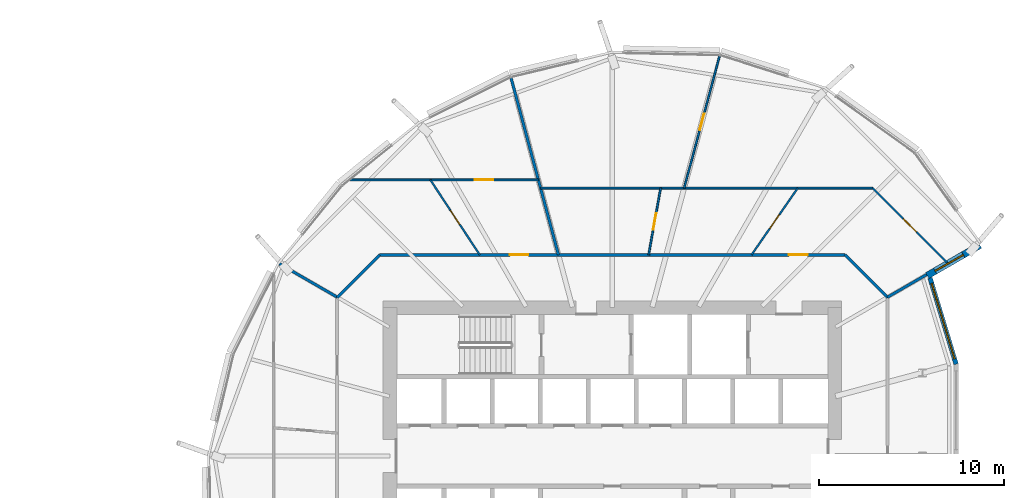
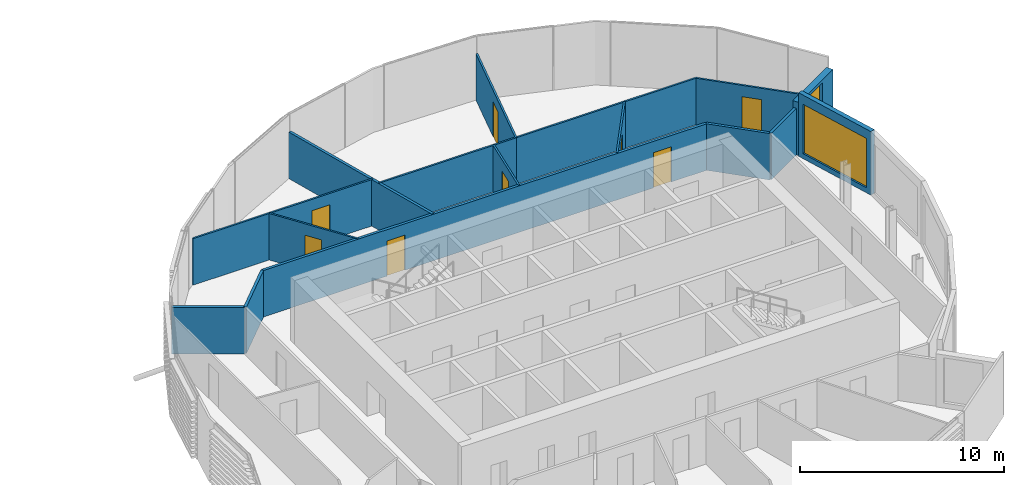
# One storey, part 25 of 38: 16 walls, 8 doors, 2 windows, 10 openings.
"""IFC4 building model written with IfcOpenShell, lengths in metres."""

from ifc_helpers import new_model, si_unit, direction, frame, frame_2d, origin, place, context, subcontext, project, spatial, rectangle, extrude, material, layer, layer_set, type_object, element, fill, save


model = new_model("IFC4")

# Units and contexts
model_context = context("Model", 3, precision=1e-05, world=origin(), true_north=direction((0.0, 1.0)))
body_context = subcontext(model_context, "Body", "Model", "MODEL_VIEW")
ifc_project = project(units=[si_unit("LENGTHUNIT", "METRE"), si_unit("AREAUNIT", "SQUARE_METRE"), si_unit("VOLUMEUNIT", "CUBIC_METRE"), si_unit("PLANEANGLEUNIT", "RADIAN"), si_unit("MASSUNIT", "GRAM", prefix="KILO")], contexts=[model_context])

# Site, building, storey
site_placement = place(None, origin())
site = spatial("IfcSite", under=ifc_project, at=site_placement, CompositionType="ELEMENT")
building_placement = place(site_placement, origin())
building = spatial("IfcBuilding", under=site, at=building_placement, Name="Rimbun Link Towers", CompositionType="ELEMENT")
storey_placement = place(building_placement, frame((0.0, 0.0, 119.60009765625)))
storey = spatial("IfcBuildingStorey", under=building, at=storey_placement, Name="L29", CompositionType="ELEMENT", Elevation=119.60009765625)

# Wall, opening, window
ifc_material_1 = material(Name="Dark enamelled glass spandrel on insulated aluminium backpan", Category="aluminium")
ifc_layer_1 = layer(ifc_material_1, 0.25)
ifc_layer_set_1 = layer_set([ifc_layer_1], Name="CS dark enamelled spandrel wall 250")
wall_type_1 = type_object("IfcWallType", Name="CS dark enamelled spandrel wall 250", PredefinedType="STANDARD", material=ifc_layer_set_1)
wall_1_placement = place(storey_placement, frame((48.889404296875, 9.606689453125, 0.0), z_axis=(0.0, 0.0, 1.0), x_axis=(0.289338123509, -0.957226958607, 0.0)))
wall_1 = element("IfcWall", 1, at=wall_1_placement, inside=storey, type_object=wall_type_1, Name="Crease spandrel wall", PredefinedType="STANDARD", context=body_context, shape_type="SweptSolid", body=[
    extrude(rectangle(XDim=4.8603515625, YDim=0.25, at=frame_2d((2.43017578125, 0.0))), origin(), (0.0, 0.0, 1.0), 3.7998046875),
])
opening_1_placement = place(wall_1_placement, frame((0.30517578125, 0.0, 0.300048828125)))
opening_1 = element("IfcOpeningElement", 2, at=opening_1_placement, cuts=wall_1, Name="Opening WR42H295", PredefinedType="OPENING", context=body_context, shape_type="SweptSolid", body=[
    extrude(rectangle(XDim=4.25, YDim=2.949951171875, at=frame_2d((2.125, 1.47509765625))), frame((0.0, 0.135009765625, 0.0), z_axis=(0.0, -1.0, 0.0), x_axis=(1.0, 0.0, 0.0)), (0.0, 0.0, 1.0), 0.27001953125),
])
ifc_material_2 = material(Name="Aluminium framed fixed window, dark tinted low-e glass", Category="aluminium")
window_type_1 = type_object("IfcWindowType", Name="WR ribbon window 4250X2950", PartitioningType="SINGLE_PANEL", PredefinedType="WINDOW", material=ifc_material_2)
window_1_placement = place(opening_1_placement, origin())
window_1 = element("IfcWindow", 3, at=window_1_placement, inside=storey, type_object=window_type_1, Name="Crease ribbon window", OverallHeight=2.949951171875, OverallWidth=4.25, PartitioningType="SINGLE_PANEL", PredefinedType="WINDOW", context=body_context, shape_type="SweptSolid", body=[
    extrude(rectangle(XDim=4.25, YDim=2.949951171875, at=frame_2d((2.125, 1.47509765625))), frame((0.0, 0.030029296875, 0.0), z_axis=(0.0, -1.0, 0.0), x_axis=(1.0, 0.0, 0.0)), (0.0, 0.0, 1.0), 0.06005859375),
])
fill(opening_1, window_1)

ifc_material_3 = material(Name="Dark enamelled glass spandrel on insulated aluminium backpan", Category="aluminium")
ifc_layer_2 = layer(ifc_material_3, 0.3701171875)
ifc_layer_set_2 = layer_set([ifc_layer_2], Name="CS dark enamelled spandrel wall 370")
wall_type_2 = type_object("IfcWallType", Name="CS dark enamelled spandrel wall 370", PredefinedType="STANDARD", material=ifc_layer_set_2)
wall_2_placement = place(storey_placement, frame((51.5771484375, 11.3720703125, 0.0), z_axis=(0.0, 0.0, 1.0), x_axis=(-0.866040564224, -0.499973740429, 0.0)))
wall_2 = element("IfcWall", 4, at=wall_2_placement, inside=storey, type_object=wall_type_2, Name="Crease spandrel wall", PredefinedType="STANDARD", context=body_context, shape_type="SweptSolid", body=[
    extrude(rectangle(XDim=3.280029296875, YDim=0.3701171875, at=frame_2d((1.64013671875, 0.0))), origin(), (0.0, 0.0, 1.0), 3.176513671875),
])
opening_2_placement = place(wall_2_placement, frame((1.03369140625, 0.0, 0.300048828125)))
opening_2 = element("IfcOpeningElement", 5, at=opening_2_placement, cuts=wall_2, Name="Opening WR18H270", PredefinedType="OPENING", context=body_context, shape_type="SweptSolid", body=[
    extrude(rectangle(XDim=1.75, YDim=2.699951171875, at=frame_2d((0.875, 1.35009765625))), frame((0.0, 0.195068359375, 0.0), z_axis=(0.0, -1.0, 0.0), x_axis=(1.0, 0.0, 0.0)), (0.0, 0.0, 1.0), 0.39013671875),
])
ifc_material_4 = material(Name="Aluminium framed fixed window, dark tinted low-e glass", Category="aluminium")
window_type_2 = type_object("IfcWindowType", Name="WR ribbon window 1750X2700", PartitioningType="SINGLE_PANEL", PredefinedType="WINDOW", material=ifc_material_4)
window_2_placement = place(opening_2_placement, origin())
window_2 = element("IfcWindow", 6, at=window_2_placement, inside=storey, type_object=window_type_2, Name="Crease ribbon window", OverallHeight=2.699951171875, OverallWidth=1.75, PartitioningType="SINGLE_PANEL", PredefinedType="WINDOW", context=body_context, shape_type="SweptSolid", body=[
    extrude(rectangle(XDim=1.75, YDim=2.699951171875, at=frame_2d((0.875, 1.35009765625))), frame((0.0, 0.030029296875, 0.0), z_axis=(0.0, -1.0, 0.0), x_axis=(1.0, 0.0, 0.0)), (0.0, 0.0, 1.0), 0.06005859375),
])
fill(opening_2, window_2)

# Wall, openings, doors
ifc_material_5 = material(Name="Plasterboard on steel stud, mineral wool", Category="steel")
ifc_layer_3 = layer(ifc_material_5, 0.14990234375)
ifc_layer_set_3 = layer_set([ifc_layer_3], Name="Corridor wall EI 30 150 mm")
wall_type_3 = type_object("IfcWallType", Name="Corridor wall EI 30 150 mm", PredefinedType="PARTITIONING", material=ifc_layer_set_3)
wall_3_placement = place(storey_placement, frame((19.1982421875, 10.85009765625, 0.0), z_axis=(0.0, 0.0, 1.0), x_axis=(1.0, 0.0, 0.0)))
wall_3 = element("IfcWall", 7, at=wall_3_placement, inside=storey, type_object=wall_type_3, Name="Corridor wall EI 30 150 mm", PredefinedType="PARTITIONING", context=body_context, shape_type="SweptSolid", body=[
    extrude(rectangle(XDim=25.103515625, YDim=0.14990234375, at=frame_2d((12.5517578125, 0.0))), origin(), (0.0, 0.0, 1.0), 2.77880859375),
])
opening_3_placement = place(wall_3_placement, frame((22.0810546875, 0.0, 0.0)))
opening_3 = element("IfcOpeningElement", 8, at=opening_3_placement, cuts=wall_3, Name="Opening D01", PredefinedType="OPENING", context=body_context, shape_type="SweptSolid", body=[
    extrude(rectangle(XDim=1.0, YDim=2.10009765625, at=frame_2d((0.5, 1.050048828125))), frame((0.0, 0.0849609375, 0.0), z_axis=(0.0, -1.0, 0.0), x_axis=(1.0, 0.0, 0.0)), (0.0, 0.0, 1.0), 0.169921875),
])
opening_4_placement = place(wall_3_placement, frame((7.02197265625, 0.0, 0.0)))
opening_4 = element("IfcOpeningElement", 9, at=opening_4_placement, cuts=wall_3, Name="Opening D01", PredefinedType="OPENING", context=body_context, shape_type="SweptSolid", body=[
    extrude(rectangle(XDim=1.0, YDim=2.10009765625, at=frame_2d((0.5, 1.050048828125))), frame((0.0, 0.0849609375, 0.0), z_axis=(0.0, -1.0, 0.0), x_axis=(1.0, 0.0, 0.0)), (0.0, 0.0, 1.0), 0.169921875),
])
ifc_material_6 = material(Name="Fire-resisting timber door leaf", Category="wood")
door_type_1 = type_object("IfcDoorType", Name="Fire door FD30S 1000", OperationType="NOTDEFINED", PredefinedType="DOOR", material=ifc_material_6)
door_1_placement = place(opening_3_placement, origin())
door_1 = element("IfcDoor", 10, at=door_1_placement, inside=storey, type_object=door_type_1, Name="Fire door FD30S 1000 to Reception", OperationType="SINGLE_SWING_LEFT", OverallHeight=2.10009765625, OverallWidth=1.0, PredefinedType="DOOR", context=body_context, shape_type="SweptSolid", body=[
    extrude(rectangle(XDim=1.0, YDim=2.10009765625, at=frame_2d((0.5, 1.050048828125))), frame((0.0, 0.02490234375, 0.0), z_axis=(0.0, -1.0, 0.0), x_axis=(1.0, 0.0, 0.0)), (0.0, 0.0, 1.0), 0.050048828125),
])
fill(opening_3, door_1)
door_2_placement = place(opening_4_placement, origin())
door_2 = element("IfcDoor", 11, at=door_2_placement, inside=storey, type_object=door_type_1, Name="Fire door FD30S 1000 to Reception", OperationType="SINGLE_SWING_RIGHT", OverallHeight=2.10009765625, OverallWidth=1.0, PredefinedType="DOOR", context=body_context, shape_type="SweptSolid", body=[
    extrude(rectangle(XDim=1.0, YDim=2.10009765625, at=frame_2d((0.5, 1.050048828125))), frame((0.0, 0.02490234375, 0.0), z_axis=(0.0, -1.0, 0.0), x_axis=(1.0, 0.0, 0.0)), (0.0, 0.0, 1.0), 0.050048828125),
])
fill(opening_4, door_2)

# Walls
for number, where, z_axis, x_axis, name in (
    (12, (46.60009765625, 8.5517578125, 0.0), (0.0, 0.0, 1.0), (-0.707106781187, 0.707106781187, 0.0), "Corridor wall EI 30 150 mm"),
    (13, (19.1982421875, 10.85009765625, 0.0), (0.0, 0.0, 1.0), (-0.707106781187, -0.707106781187, 0.0), "Corridor wall EI 30 150 mm"),
):
    element("IfcWall", number, at=place(storey_placement, frame(where, z_axis=z_axis, x_axis=x_axis)), inside=storey, type_object=wall_type_3, Name=name, PredefinedType="PARTITIONING", context=body_context, shape_type="SweptSolid", body=[
        extrude(rectangle(XDim=3.250244140625, YDim=0.14990234375, at=frame_2d((1.625, 0.0))), origin(), (0.0, 0.0, 1.0), 2.77880859375),
    ])

# Wall, opening, door
ifc_material_7 = material(Name="Plasterboard on steel stud", Category="steel")
ifc_layer_4 = layer(ifc_material_7, 0.10009765625)
ifc_layer_set_4 = layer_set([ifc_layer_4], Name="Plasterboard partition 100 mm")
wall_type_4 = type_object("IfcWallType", Name="Plasterboard partition 100 mm", PredefinedType="PARTITIONING", material=ifc_layer_set_4)
wall_4_placement = place(storey_placement, frame((39.257080078125, 10.85009765625, 0.0), z_axis=(0.0, 0.0, 1.0), x_axis=(0.569018561691, 0.822324678245, 0.0)))
wall_4 = element("IfcWall", 14, at=wall_4_placement, inside=storey, type_object=wall_type_4, Name="Plasterboard partition 100 mm", PredefinedType="PARTITIONING", context=body_context, shape_type="SweptSolid", body=[
    extrude(rectangle(XDim=4.377685546875, YDim=0.10009765625, at=frame_2d((2.18896484375, 0.0))), origin(), (0.0, 0.0, 1.0), 2.77880859375),
])
opening_5_placement = place(wall_4_placement, frame((1.73876953125, 0.0, 0.0)))
opening_5 = element("IfcOpeningElement", 15, at=opening_5_placement, cuts=wall_4, Name="Opening D04", PredefinedType="OPENING", context=body_context, shape_type="SweptSolid", body=[
    extrude(rectangle(XDim=0.89990234375, YDim=2.10009765625, at=frame_2d((0.449951171875, 1.050048828125))), frame((0.0, 0.06005859375, 0.0), z_axis=(0.0, -1.0, 0.0), x_axis=(1.0, 0.0, 0.0)), (0.0, 0.0, 1.0), 0.1201171875),
])
ifc_material_8 = material(Name="Timber door leaf", Category="wood")
door_type_2 = type_object("IfcDoorType", Name="Flush door 900", OperationType="NOTDEFINED", PredefinedType="DOOR", material=ifc_material_8)
door_3_placement = place(opening_5_placement, origin())
door_3 = element("IfcDoor", 16, at=door_3_placement, inside=storey, type_object=door_type_2, Name="Flush door 900 to Meeting room", OperationType="SINGLE_SWING_RIGHT", OverallHeight=2.10009765625, OverallWidth=0.89990234375, PredefinedType="DOOR", context=body_context, shape_type="SweptSolid", body=[
    extrude(rectangle(XDim=0.89990234375, YDim=2.10009765625, at=frame_2d((0.449951171875, 1.050048828125))), frame((0.0, 0.02490234375, 0.0), z_axis=(0.0, -1.0, 0.0), x_axis=(1.0, 0.0, 0.0)), (0.0, 0.0, 1.0), 0.050048828125),
])
fill(opening_5, door_3)

wall_5_placement = place(storey_placement, frame((45.792724609375, 14.449951171875, 0.0), z_axis=(0.0, 0.0, 1.0), x_axis=(0.707128248021, -0.707085313701, 0.0)))
wall_5 = element("IfcWall", 17, at=wall_5_placement, inside=storey, type_object=wall_type_4, Name="Plasterboard partition 100 mm", PredefinedType="PARTITIONING", context=body_context, shape_type="SweptSolid", body=[
    extrude(rectangle(XDim=5.686279296875, YDim=0.10009765625, at=frame_2d((2.84326171875, 0.0))), origin(), (0.0, 0.0, 1.0), 2.77880859375),
])
opening_6_placement = place(wall_5_placement, frame((2.34326171875, 0.0, 0.0)))
opening_6 = element("IfcOpeningElement", 18, at=opening_6_placement, cuts=wall_5, Name="Opening D03", PredefinedType="OPENING", context=body_context, shape_type="SweptSolid", body=[
    extrude(rectangle(XDim=1.0, YDim=2.10009765625, at=frame_2d((0.5, 1.050048828125))), frame((0.0, 0.06005859375, 0.0), z_axis=(0.0, -1.0, 0.0), x_axis=(1.0, 0.0, 0.0)), (0.0, 0.0, 1.0), 0.1201171875),
])
ifc_material_9 = material(Name="Timber door leaf", Category="wood")
door_type_3 = type_object("IfcDoorType", Name="Flush door 1000", OperationType="NOTDEFINED", PredefinedType="DOOR", material=ifc_material_9)
door_4_placement = place(opening_6_placement, origin())
door_4 = element("IfcDoor", 19, at=door_4_placement, inside=storey, type_object=door_type_3, Name="Flush door 1000 to Co-working space", OperationType="SINGLE_SWING_LEFT", OverallHeight=2.10009765625, OverallWidth=1.0, PredefinedType="DOOR", context=body_context, shape_type="SweptSolid", body=[
    extrude(rectangle(XDim=1.0, YDim=2.10009765625, at=frame_2d((0.5, 1.050048828125))), frame((0.0, 0.02490234375, 0.0), z_axis=(0.0, -1.0, 0.0), x_axis=(1.0, 0.0, 0.0)), (0.0, 0.0, 1.0), 0.050048828125),
])
fill(opening_6, door_4)

# Wall
wall_6_placement = place(storey_placement, frame((45.792724609375, 14.449951171875, 0.0), z_axis=(0.0, 0.0, 1.0), x_axis=(-1.0, 0.0, 0.0)))
element("IfcWall", 20, at=wall_6_placement, inside=storey, type_object=wall_type_4, Name="Plasterboard partition 100 mm", PredefinedType="PARTITIONING", context=body_context, shape_type="SweptSolid", body=[
    extrude(rectangle(XDim=10.1708984375, YDim=0.10009765625, at=frame_2d((5.08544921875, 0.0))), origin(), (0.0, 0.0, 1.0), 2.77880859375),
])

# Wall, opening, door
wall_7_placement = place(storey_placement, frame((33.7060546875, 10.85009765625, 0.0), z_axis=(0.0, 0.0, 1.0), x_axis=(0.177405124401, 0.984137907936, 0.0)))
wall_7 = element("IfcWall", 21, at=wall_7_placement, inside=storey, type_object=wall_type_4, Name="Plasterboard partition 100 mm", PredefinedType="PARTITIONING", context=body_context, shape_type="SweptSolid", body=[
    extrude(rectangle(XDim=3.657958984375, YDim=0.10009765625, at=frame_2d((1.8291015625, 0.0))), origin(), (0.0, 0.0, 1.0), 2.77880859375),
])
opening_7_placement = place(wall_7_placement, frame((1.37890625, 0.0, 0.0)))
opening_7 = element("IfcOpeningElement", 22, at=opening_7_placement, cuts=wall_7, Name="Opening D04", PredefinedType="OPENING", context=body_context, shape_type="SweptSolid", body=[
    extrude(rectangle(XDim=0.89990234375, YDim=2.10009765625, at=frame_2d((0.449951171875, 1.050048828125))), frame((0.0, 0.06005859375, 0.0), z_axis=(0.0, -1.0, 0.0), x_axis=(1.0, 0.0, 0.0)), (0.0, 0.0, 1.0), 0.1201171875),
])
door_5_placement = place(opening_7_placement, origin())
door_5 = element("IfcDoor", 23, at=door_5_placement, inside=storey, type_object=door_type_2, Name="Flush door 900 to Pantry", OperationType="SINGLE_SWING_RIGHT", OverallHeight=2.10009765625, OverallWidth=0.89990234375, PredefinedType="DOOR", context=body_context, shape_type="SweptSolid", body=[
    extrude(rectangle(XDim=0.89990234375, YDim=2.10009765625, at=frame_2d((0.449951171875, 1.050048828125))), frame((0.0, 0.02490234375, 0.0), z_axis=(0.0, -1.0, 0.0), x_axis=(1.0, 0.0, 0.0)), (0.0, 0.0, 1.0), 0.050048828125),
])
fill(opening_7, door_5)

# Wall
wall_8_placement = place(storey_placement, frame((35.621826171875, 14.449951171875, 0.0), z_axis=(0.0, 0.0, 1.0), x_axis=(-1.0, 0.0, 0.0)))
element("IfcWall", 24, at=wall_8_placement, inside=storey, type_object=wall_type_4, Name="Plasterboard partition 100 mm", PredefinedType="PARTITIONING", context=body_context, shape_type="SweptSolid", body=[
    extrude(rectangle(XDim=7.74365234375, YDim=0.10009765625, at=frame_2d((3.871826171875, 0.0))), origin(), (0.0, 0.0, 1.0), 2.77880859375),
])

# Wall, opening, door
wall_9_placement = place(storey_placement, frame((35.621826171875, 14.449951171875, 0.0), z_axis=(0.0, 0.0, 1.0), x_axis=(0.258802500484, 0.965930259254, 0.0)))
wall_9 = element("IfcWall", 25, at=wall_9_placement, inside=storey, type_object=wall_type_4, Name="Plasterboard partition 100 mm", PredefinedType="PARTITIONING", context=body_context, shape_type="SweptSolid", body=[
    extrude(rectangle(XDim=7.410888671875, YDim=0.10009765625, at=frame_2d((3.70556640625, 0.0))), origin(), (0.0, 0.0, 1.0), 2.77880859375),
])
opening_8_placement = place(wall_9_placement, frame((3.25537109375, 0.0, 0.0)))
opening_8 = element("IfcOpeningElement", 26, at=opening_8_placement, cuts=wall_9, Name="Opening D04", PredefinedType="OPENING", context=body_context, shape_type="SweptSolid", body=[
    extrude(rectangle(XDim=0.89990234375, YDim=2.10009765625, at=frame_2d((0.449951171875, 1.050048828125))), frame((0.0, 0.06005859375, 0.0), z_axis=(0.0, -1.0, 0.0), x_axis=(1.0, 0.0, 0.0)), (0.0, 0.0, 1.0), 0.1201171875),
])
door_6_placement = place(opening_8_placement, origin())
door_6 = element("IfcDoor", 27, at=door_6_placement, inside=storey, type_object=door_type_2, Name="Flush door 900 to Serviced office", OperationType="SINGLE_SWING_RIGHT", OverallHeight=2.10009765625, OverallWidth=0.89990234375, PredefinedType="DOOR", context=body_context, shape_type="SweptSolid", body=[
    extrude(rectangle(XDim=0.89990234375, YDim=2.10009765625, at=frame_2d((0.449951171875, 1.050048828125))), frame((0.0, 0.02490234375, 0.0), z_axis=(0.0, -1.0, 0.0), x_axis=(1.0, 0.0, 0.0)), (0.0, 0.0, 1.0), 0.050048828125),
])
fill(opening_8, door_6)

wall_10_placement = place(storey_placement, frame((24.597900390625, 10.85009765625, 0.0), z_axis=(0.0, 0.0, 1.0), x_axis=(-0.550383539019, 0.834911947439, 0.0)))
wall_10 = element("IfcWall", 28, at=wall_10_placement, inside=storey, type_object=wall_type_4, Name="Plasterboard partition 100 mm", PredefinedType="PARTITIONING", context=body_context, shape_type="SweptSolid", body=[
    extrude(rectangle(XDim=4.8505859375, YDim=0.10009765625, at=frame_2d((2.42529296875, 0.0))), origin(), (0.0, 0.0, 1.0), 2.77880859375),
])
opening_9_placement = place(wall_10_placement, frame((1.975341796875, 0.0, 0.0)))
opening_9 = element("IfcOpeningElement", 29, at=opening_9_placement, cuts=wall_10, Name="Opening D04", PredefinedType="OPENING", context=body_context, shape_type="SweptSolid", body=[
    extrude(rectangle(XDim=0.89990234375, YDim=2.10009765625, at=frame_2d((0.449951171875, 1.050048828125))), frame((0.0, 0.06005859375, 0.0), z_axis=(0.0, -1.0, 0.0), x_axis=(1.0, 0.0, 0.0)), (0.0, 0.0, 1.0), 0.1201171875),
])
door_7_placement = place(opening_9_placement, origin())
door_7 = element("IfcDoor", 30, at=door_7_placement, inside=storey, type_object=door_type_2, Name="Flush door 900 to Pantry", OperationType="SINGLE_SWING_LEFT", OverallHeight=2.10009765625, OverallWidth=0.89990234375, PredefinedType="DOOR", context=body_context, shape_type="SweptSolid", body=[
    extrude(rectangle(XDim=0.89990234375, YDim=2.10009765625, at=frame_2d((0.449951171875, 1.050048828125))), frame((0.0, 0.02490234375, 0.0), z_axis=(0.0, -1.0, 0.0), x_axis=(1.0, 0.0, 0.0)), (0.0, 0.0, 1.0), 0.050048828125),
])
fill(opening_9, door_7)

wall_11_placement = place(storey_placement, frame((17.597412109375, 14.89990234375, 0.0), z_axis=(0.0, 0.0, 1.0), x_axis=(1.0, 0.0, 0.0)))
wall_11 = element("IfcWall", 31, at=wall_11_placement, inside=storey, type_object=wall_type_4, Name="Plasterboard partition 100 mm", PredefinedType="PARTITIONING", context=body_context, shape_type="SweptSolid", body=[
    extrude(rectangle(XDim=10.16015625, YDim=0.10009765625, at=frame_2d((5.080078125, 0.0))), origin(), (0.0, 0.0, 1.0), 2.77880859375),
])
opening_10_placement = place(wall_11_placement, frame((6.730712890625, 0.0, 0.0)))
opening_10 = element("IfcOpeningElement", 32, at=opening_10_placement, cuts=wall_11, Name="Opening D03", PredefinedType="OPENING", context=body_context, shape_type="SweptSolid", body=[
    extrude(rectangle(XDim=1.0, YDim=2.10009765625, at=frame_2d((0.5, 1.050048828125))), frame((0.0, 0.06005859375, 0.0), z_axis=(0.0, -1.0, 0.0), x_axis=(1.0, 0.0, 0.0)), (0.0, 0.0, 1.0), 0.1201171875),
])
door_8_placement = place(opening_10_placement, origin())
door_8 = element("IfcDoor", 33, at=door_8_placement, inside=storey, type_object=door_type_3, Name="Flush door 1000 to Boardroom", OperationType="SINGLE_SWING_RIGHT", OverallHeight=2.10009765625, OverallWidth=1.0, PredefinedType="DOOR", context=body_context, shape_type="SweptSolid", body=[
    extrude(rectangle(XDim=1.0, YDim=2.10009765625, at=frame_2d((0.5, 1.050048828125))), frame((0.0, 0.02490234375, 0.0), z_axis=(0.0, -1.0, 0.0), x_axis=(1.0, 0.0, 0.0)), (0.0, 0.0, 1.0), 0.050048828125),
])
fill(opening_10, door_8)

# Walls
ifc_material_10 = material(Name="Plasterboard on steel stud, mineral wool", Category="steel")
ifc_layer_5 = layer(ifc_material_10, 0.14990234375)
ifc_layer_set_5 = layer_set([ifc_layer_5], Name="Tenancy separation wall EI 60 150 mm")
wall_type_5 = type_object("IfcWallType", Name="Tenancy separation wall EI 60 150 mm", PredefinedType="PARTITIONING", material=ifc_layer_set_5)
wall_12_placement = place(storey_placement, frame((28.8427734375, 10.85009765625, 0.0), z_axis=(0.0, 0.0, 1.0), x_axis=(-0.258820238395, 0.965925506547, 0.0)))
element("IfcWall", 34, at=wall_12_placement, inside=storey, type_object=wall_type_5, Name="Tenancy separation wall EI 60 150 mm", PredefinedType="PARTITIONING", context=body_context, shape_type="SweptSolid", body=[
    extrude(rectangle(XDim=9.9091796875, YDim=0.14990234375, at=frame_2d((4.95458984375, 0.0))), origin(), (0.0, 0.0, 1.0), 2.77880859375),
])
wall_13_placement = place(storey_placement, frame((16.9140625, 8.565673828125, 0.0), z_axis=(0.0, 0.0, 1.0), x_axis=(-0.866049289354, 0.499958626698, 0.0)))
element("IfcWall", 35, at=wall_13_placement, inside=storey, type_object=wall_type_5, Name="Tenancy separation wall EI 60 150 mm", PredefinedType="PARTITIONING", context=body_context, shape_type="SweptSolid", body=[
    extrude(rectangle(XDim=3.609130859375, YDim=0.14990234375, at=frame_2d((1.8046875, 0.0))), origin(), (0.0, 0.0, 1.0), 2.77880859375),
])
wall_14_placement = place(storey_placement, frame((46.586181640625, 8.565673828125, 0.0), z_axis=(0.0, 0.0, 1.0), x_axis=(0.86604760459, 0.499961545105, 0.0)))
element("IfcWall", 36, at=wall_14_placement, inside=storey, type_object=wall_type_5, Name="Tenancy separation wall EI 60 150 mm", PredefinedType="PARTITIONING", context=body_context, shape_type="SweptSolid", body=[
    extrude(rectangle(XDim=2.445556640625, YDim=0.14990234375, at=frame_2d((1.22265625, 0.0))), origin(), (0.0, 0.0, 1.0), 2.77880859375),
])

save(model, "model.ifc")
